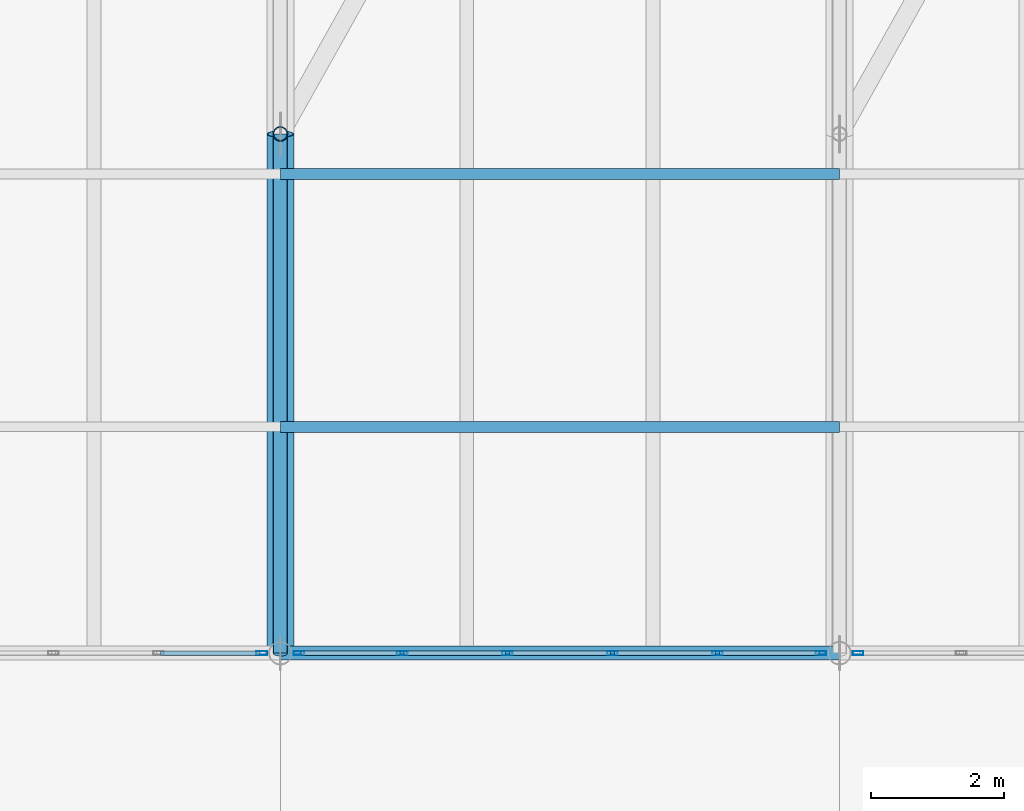
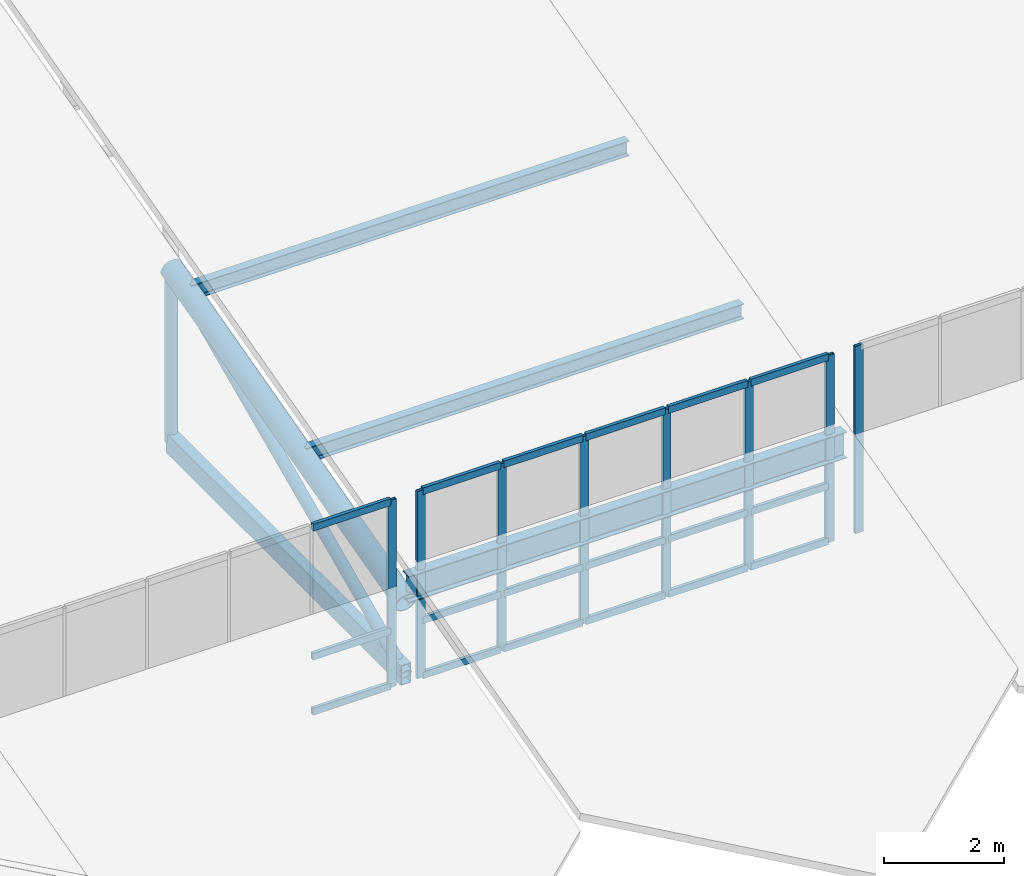
# One storey, part 19 of 43: 32 members, 1 beam, 3 elements without a shape of their own.
"""IFC4 building model written with IfcOpenShell, lengths in metres."""

from ifc_helpers import new_model, si_unit, direction, frame, origin, origin_2d, place, context, subcontext, project, spatial, hollow_rectangle, hollow_circle, i_section, extrude, material, layer, layer_set, material_profile, profile_set, type_object, element, aggregate, save


model = new_model("IFC4")

# Units and contexts
model_context = context("Model", 3, precision=1e-05, world=origin(), true_north=direction((0.0, 1.0)))
body_context = subcontext(model_context, "Body", "Model", "MODEL_VIEW")
ifc_project = project(units=[si_unit("LENGTHUNIT", "METRE"), si_unit("AREAUNIT", "SQUARE_METRE"), si_unit("VOLUMEUNIT", "CUBIC_METRE"), si_unit("PLANEANGLEUNIT", "RADIAN"), si_unit("MASSUNIT", "GRAM", prefix="KILO")], contexts=[model_context])

# Site, building, storey
site_placement = place(None, origin())
site = spatial("IfcSite", under=ifc_project, at=site_placement, CompositionType="ELEMENT")
building_placement = place(site_placement, origin())
building = spatial("IfcBuilding", under=site, at=building_placement, Name="Selat Folded Stagehouse", CompositionType="ELEMENT")
storey_placement = place(building_placement, frame((0.0, 0.0, 32.39990234375)))
storey = spatial("IfcBuildingStorey", under=building, at=storey_placement, Name="RF", CompositionType="ELEMENT", Elevation=32.39990234375)

# Beam
ifc_material_1 = material(Name="Steel S355", Category="steel")
ifc_material_profile_1 = material_profile(ifc_material_1, i_section(OverallWidth=0.209228515625, OverallDepth=0.533203125, WebThickness=0.010009765625, FlangeThickness=0.015625, FilletRadius=0.0126953125, at=origin_2d()), Name="UKB 533x210x92")
ifc_profile_set_1 = profile_set([ifc_material_profile_1], Name="Steel S355")
beam_type = type_object("IfcBeamType", Name="BM-GIRD-533x210x92", PredefinedType="BEAM", material=ifc_profile_set_1)
beam_placement = place(storey_placement, frame((42.0, 23.39990234375, 1.9208984375), z_axis=(1.0, 0.0, 0.0), x_axis=(0.0, 1.0, 0.0)))
element("IfcBeam", 1, at=beam_placement, inside=storey, type_object=beam_type, Name="RF bay 5 S roof bearer beam", PredefinedType="BEAM", context=body_context, shape_type="SweptSolid", body=[
    extrude(i_section(OverallWidth=0.209228515625, OverallDepth=0.533203125, WebThickness=0.010009765625, FlangeThickness=0.015625, FilletRadius=0.0126953125, at=origin_2d()), origin(), (0.0, 0.0, 1.0), 8.39990234375),
])

# Curtain wall, member
ifc_material_2 = material(Name="Aluminium 6063-T6", Category="aluminium")
ifc_layer = layer(ifc_material_2, 0.169921875)
ifc_layer_set = layer_set([ifc_layer], Name="Aluminium 6063-T6")
curtain_wall_type = type_object("IfcCurtainWallType", Name="CW-CRN-CLER", PredefinedType="NOTDEFINED", material=ifc_layer_set)
curtain_wall_1_placement = place(storey_placement, origin())
curtain_wall_1 = element("IfcCurtainWall", 2, at=curtain_wall_1_placement, inside=storey, type_object=curtain_wall_type, Name="RF curtain wall CW-RF-S-03", PredefinedType="NOTDEFINED")
ifc_material_profile_2 = material_profile(ifc_material_2, hollow_rectangle(XDim=0.06005859375, YDim=0.159912109375, WallThickness=0.00390625, at=origin_2d()), Name="ALU 160x60x4.0")
ifc_profile_set_2 = profile_set([ifc_material_profile_2], Name="Aluminium 6063-T6")
member_type_1 = type_object("IfcMemberType", Name="CWM-MUL-160x60", PredefinedType="MULLION", material=ifc_profile_set_2)
member_1_placement = place(storey_placement, frame((41.719970703125, 23.39990234375, 0.0), z_axis=(0.0, 0.0, 1.0), x_axis=(0.0, -1.0, 0.0)))
member_1 = element("IfcMember", 3, at=member_1_placement, type_object=member_type_1, Name="CW-09 mullion 1", PredefinedType="MULLION", context=body_context, shape_type="SweptSolid", body=[
    extrude(hollow_rectangle(XDim=0.06005859375, YDim=0.159912109375, WallThickness=0.00390625, at=origin_2d()), origin(), (0.0, 0.0, 1.0), 3.800048828125),
])

# Curtain wall, members
curtain_wall_2_placement = place(storey_placement, origin())
curtain_wall_2 = element("IfcCurtainWall", 4, at=curtain_wall_2_placement, inside=storey, type_object=curtain_wall_type, Name="RF curtain wall CW-RF-S-04", PredefinedType="NOTDEFINED")
member_2_placement = place(storey_placement, frame((50.1201171875, 23.39990234375, 0.0), z_axis=(0.0, 0.0, 1.0), x_axis=(0.0, -1.0, 0.0)))
member_2 = element("IfcMember", 5, at=member_2_placement, type_object=member_type_1, Name="CW-09 mullion 1", PredefinedType="MULLION", context=body_context, shape_type="SweptSolid", body=[
    extrude(hollow_rectangle(XDim=0.06005859375, YDim=0.159912109375, WallThickness=0.00390625, at=origin_2d()), origin(), (0.0, 0.0, 1.0), 3.800048828125),
])
member_3_placement = place(storey_placement, frame((48.570068359375, 23.39990234375, 0.0), z_axis=(0.0, 0.0, 1.0), x_axis=(0.0, -1.0, 0.0)))
member_3 = element("IfcMember", 6, at=member_3_placement, type_object=member_type_1, Name="CW-09 mullion 2", PredefinedType="MULLION", context=body_context, shape_type="SweptSolid", body=[
    extrude(hollow_rectangle(XDim=0.06005859375, YDim=0.159912109375, WallThickness=0.00390625, at=origin_2d()), origin(), (0.0, 0.0, 1.0), 3.800048828125),
])
member_4_placement = place(storey_placement, frame((46.989990234375, 23.39990234375, 0.0), z_axis=(0.0, 0.0, 1.0), x_axis=(0.0, -1.0, 0.0)))
member_4 = element("IfcMember", 7, at=member_4_placement, type_object=member_type_1, Name="CW-09 mullion 3", PredefinedType="MULLION", context=body_context, shape_type="SweptSolid", body=[
    extrude(hollow_rectangle(XDim=0.06005859375, YDim=0.159912109375, WallThickness=0.00390625, at=origin_2d()), origin(), (0.0, 0.0, 1.0), 3.800048828125),
])
member_5_placement = place(storey_placement, frame((45.409912109375, 23.39990234375, 0.0), z_axis=(0.0, 0.0, 1.0), x_axis=(0.0, -1.0, 0.0)))
member_5 = element("IfcMember", 8, at=member_5_placement, type_object=member_type_1, Name="CW-09 mullion 4", PredefinedType="MULLION", context=body_context, shape_type="SweptSolid", body=[
    extrude(hollow_rectangle(XDim=0.06005859375, YDim=0.159912109375, WallThickness=0.00390625, at=origin_2d()), origin(), (0.0, 0.0, 1.0), 3.800048828125),
])
member_6_placement = place(storey_placement, frame((43.830078125, 23.39990234375, 0.0), z_axis=(0.0, 0.0, 1.0), x_axis=(0.0, -1.0, 0.0)))
member_6 = element("IfcMember", 9, at=member_6_placement, type_object=member_type_1, Name="CW-09 mullion 5", PredefinedType="MULLION", context=body_context, shape_type="SweptSolid", body=[
    extrude(hollow_rectangle(XDim=0.06005859375, YDim=0.159912109375, WallThickness=0.00390625, at=origin_2d()), origin(), (0.0, 0.0, 1.0), 3.800048828125),
])
member_7_placement = place(storey_placement, frame((42.280029296875, 23.39990234375, 0.0), z_axis=(0.0, 0.0, 1.0), x_axis=(0.0, -1.0, 0.0)))
member_7 = element("IfcMember", 10, at=member_7_placement, type_object=member_type_1, Name="CW-09 mullion 6", PredefinedType="MULLION", context=body_context, shape_type="SweptSolid", body=[
    extrude(hollow_rectangle(XDim=0.06005859375, YDim=0.159912109375, WallThickness=0.00390625, at=origin_2d()), origin(), (0.0, 0.0, 1.0), 3.800048828125),
])

# Curtain wall, member
curtain_wall_3_placement = place(storey_placement, origin())
curtain_wall_3 = element("IfcCurtainWall", 11, at=curtain_wall_3_placement, inside=storey, type_object=curtain_wall_type, Name="RF curtain wall CW-RF-S-05", PredefinedType="NOTDEFINED")
member_8_placement = place(storey_placement, frame((50.679931640625, 23.39990234375, 0.0), z_axis=(0.0, 0.0, 1.0), x_axis=(0.0, -1.0, 0.0)))
member_8 = element("IfcMember", 12, at=member_8_placement, type_object=member_type_1, Name="CW-09 mullion 6", PredefinedType="MULLION", context=body_context, shape_type="SweptSolid", body=[
    extrude(hollow_rectangle(XDim=0.06005859375, YDim=0.159912109375, WallThickness=0.00390625, at=origin_2d()), origin(), (0.0, 0.0, 1.0), 3.800048828125),
])
aggregate(curtain_wall_3, [member_8])

# Member
ifc_material_profile_3 = material_profile(ifc_material_2, hollow_rectangle(XDim=0.06494140625, YDim=0.139892578125, WallThickness=0.00390625, at=origin_2d()), Name="ALU 140x65x4.0")
ifc_profile_set_3 = profile_set([ifc_material_profile_3], Name="Aluminium 6063-T6")
member_type_2 = type_object("IfcMemberType", Name="CWM-TRN-140x65", PredefinedType="USERDEFINED", material=ifc_profile_set_3)
member_9_placement = place(storey_placement, frame((41.68994140625, 23.39990234375, 0.03271484375), z_axis=(-1.0, 0.0, 0.0), x_axis=(0.0, -1.0, 0.0)))
member_9 = element("IfcMember", 13, at=member_9_placement, type_object=member_type_2, Name="CW-09 transom 1.1", ObjectType="TRANSOM", PredefinedType="USERDEFINED", context=body_context, shape_type="SweptSolid", body=[
    extrude(hollow_rectangle(XDim=0.06494140625, YDim=0.139892578125, WallThickness=0.00390625, at=origin_2d()), origin(), (0.0, 0.0, 1.0), 1.489990234375),
])

member_10_placement = place(storey_placement, frame((41.68994140625, 23.39990234375, 1.150146484375), z_axis=(-1.0, 0.0, 0.0), x_axis=(0.0, -1.0, 0.0)))
member_10 = element("IfcMember", 14, at=member_10_placement, type_object=member_type_2, Name="CW-09 transom 1.2", ObjectType="TRANSOM", PredefinedType="USERDEFINED", context=body_context, shape_type="SweptSolid", body=[
    extrude(hollow_rectangle(XDim=0.06494140625, YDim=0.139892578125, WallThickness=0.00390625, at=origin_2d()), origin(), (0.0, 0.0, 1.0), 1.489990234375),
])

member_11_placement = place(storey_placement, frame((41.68994140625, 23.39990234375, 3.767578125), z_axis=(-1.0, 0.0, 0.0), x_axis=(0.0, -1.0, 0.0)))
member_11 = element("IfcMember", 15, at=member_11_placement, type_object=member_type_2, Name="CW-09 transom 1.3", ObjectType="TRANSOM", PredefinedType="USERDEFINED", context=body_context, shape_type="SweptSolid", body=[
    extrude(hollow_rectangle(XDim=0.06494140625, YDim=0.139892578125, WallThickness=0.00390625, at=origin_2d()), origin(), (0.0, 0.0, 1.0), 1.489990234375),
])

aggregate(curtain_wall_1, [member_1, member_9, member_10, member_11])

member_12_placement = place(storey_placement, frame((50.090087890625, 23.39990234375, 0.03271484375), z_axis=(-1.0, 0.0, 0.0), x_axis=(0.0, -1.0, 0.0)))
member_12 = element("IfcMember", 16, at=member_12_placement, type_object=member_type_2, Name="CW-09 transom 1.1", ObjectType="TRANSOM", PredefinedType="USERDEFINED", context=body_context, shape_type="SweptSolid", body=[
    extrude(hollow_rectangle(XDim=0.06494140625, YDim=0.139892578125, WallThickness=0.00390625, at=origin_2d()), origin(), (0.0, 0.0, 1.0), 1.489990234375),
])

member_13_placement = place(storey_placement, frame((50.090087890625, 23.39990234375, 1.150146484375), z_axis=(-1.0, 0.0, 0.0), x_axis=(0.0, -1.0, 0.0)))
member_13 = element("IfcMember", 17, at=member_13_placement, type_object=member_type_2, Name="CW-09 transom 1.2", ObjectType="TRANSOM", PredefinedType="USERDEFINED", context=body_context, shape_type="SweptSolid", body=[
    extrude(hollow_rectangle(XDim=0.06494140625, YDim=0.139892578125, WallThickness=0.00390625, at=origin_2d()), origin(), (0.0, 0.0, 1.0), 1.489990234375),
])

member_14_placement = place(storey_placement, frame((50.090087890625, 23.39990234375, 3.767578125), z_axis=(-1.0, 0.0, 0.0), x_axis=(0.0, -1.0, 0.0)))
member_14 = element("IfcMember", 18, at=member_14_placement, type_object=member_type_2, Name="CW-09 transom 1.3", ObjectType="TRANSOM", PredefinedType="USERDEFINED", context=body_context, shape_type="SweptSolid", body=[
    extrude(hollow_rectangle(XDim=0.06494140625, YDim=0.139892578125, WallThickness=0.00390625, at=origin_2d()), origin(), (0.0, 0.0, 1.0), 1.489990234375),
])

member_15_placement = place(storey_placement, frame((48.5400390625, 23.39990234375, 0.03271484375), z_axis=(-1.0, 0.0, 0.0), x_axis=(0.0, -1.0, 0.0)))
member_15 = element("IfcMember", 19, at=member_15_placement, type_object=member_type_2, Name="CW-09 transom 2.1", ObjectType="TRANSOM", PredefinedType="USERDEFINED", context=body_context, shape_type="SweptSolid", body=[
    extrude(hollow_rectangle(XDim=0.06494140625, YDim=0.139892578125, WallThickness=0.00390625, at=origin_2d()), origin(), (0.0, 0.0, 1.0), 1.52001953125),
])

member_16_placement = place(storey_placement, frame((48.5400390625, 23.39990234375, 1.150146484375), z_axis=(-1.0, 0.0, 0.0), x_axis=(0.0, -1.0, 0.0)))
member_16 = element("IfcMember", 20, at=member_16_placement, type_object=member_type_2, Name="CW-09 transom 2.2", ObjectType="TRANSOM", PredefinedType="USERDEFINED", context=body_context, shape_type="SweptSolid", body=[
    extrude(hollow_rectangle(XDim=0.06494140625, YDim=0.139892578125, WallThickness=0.00390625, at=origin_2d()), origin(), (0.0, 0.0, 1.0), 1.52001953125),
])

member_17_placement = place(storey_placement, frame((48.5400390625, 23.39990234375, 3.767578125), z_axis=(-1.0, 0.0, 0.0), x_axis=(0.0, -1.0, 0.0)))
member_17 = element("IfcMember", 21, at=member_17_placement, type_object=member_type_2, Name="CW-09 transom 2.3", ObjectType="TRANSOM", PredefinedType="USERDEFINED", context=body_context, shape_type="SweptSolid", body=[
    extrude(hollow_rectangle(XDim=0.06494140625, YDim=0.139892578125, WallThickness=0.00390625, at=origin_2d()), origin(), (0.0, 0.0, 1.0), 1.52001953125),
])

member_18_placement = place(storey_placement, frame((46.9599609375, 23.39990234375, 0.03271484375), z_axis=(-1.0, 0.0, 0.0), x_axis=(0.0, -1.0, 0.0)))
member_18 = element("IfcMember", 22, at=member_18_placement, type_object=member_type_2, Name="CW-09 transom 3.1", ObjectType="TRANSOM", PredefinedType="USERDEFINED", context=body_context, shape_type="SweptSolid", body=[
    extrude(hollow_rectangle(XDim=0.06494140625, YDim=0.139892578125, WallThickness=0.00390625, at=origin_2d()), origin(), (0.0, 0.0, 1.0), 1.52001953125),
])

member_19_placement = place(storey_placement, frame((46.9599609375, 23.39990234375, 1.150146484375), z_axis=(-1.0, 0.0, 0.0), x_axis=(0.0, -1.0, 0.0)))
member_19 = element("IfcMember", 23, at=member_19_placement, type_object=member_type_2, Name="CW-09 transom 3.2", ObjectType="TRANSOM", PredefinedType="USERDEFINED", context=body_context, shape_type="SweptSolid", body=[
    extrude(hollow_rectangle(XDim=0.06494140625, YDim=0.139892578125, WallThickness=0.00390625, at=origin_2d()), origin(), (0.0, 0.0, 1.0), 1.52001953125),
])

member_20_placement = place(storey_placement, frame((46.9599609375, 23.39990234375, 3.767578125), z_axis=(-1.0, 0.0, 0.0), x_axis=(0.0, -1.0, 0.0)))
member_20 = element("IfcMember", 24, at=member_20_placement, type_object=member_type_2, Name="CW-09 transom 3.3", ObjectType="TRANSOM", PredefinedType="USERDEFINED", context=body_context, shape_type="SweptSolid", body=[
    extrude(hollow_rectangle(XDim=0.06494140625, YDim=0.139892578125, WallThickness=0.00390625, at=origin_2d()), origin(), (0.0, 0.0, 1.0), 1.52001953125),
])

member_21_placement = place(storey_placement, frame((45.3798828125, 23.39990234375, 0.03271484375), z_axis=(-1.0, 0.0, 0.0), x_axis=(0.0, -1.0, 0.0)))
member_21 = element("IfcMember", 25, at=member_21_placement, type_object=member_type_2, Name="CW-09 transom 4.1", ObjectType="TRANSOM", PredefinedType="USERDEFINED", context=body_context, shape_type="SweptSolid", body=[
    extrude(hollow_rectangle(XDim=0.06494140625, YDim=0.139892578125, WallThickness=0.00390625, at=origin_2d()), origin(), (0.0, 0.0, 1.0), 1.519775390625),
])

member_22_placement = place(storey_placement, frame((45.3798828125, 23.39990234375, 1.150146484375), z_axis=(-1.0, 0.0, 0.0), x_axis=(0.0, -1.0, 0.0)))
member_22 = element("IfcMember", 26, at=member_22_placement, type_object=member_type_2, Name="CW-09 transom 4.2", ObjectType="TRANSOM", PredefinedType="USERDEFINED", context=body_context, shape_type="SweptSolid", body=[
    extrude(hollow_rectangle(XDim=0.06494140625, YDim=0.139892578125, WallThickness=0.00390625, at=origin_2d()), origin(), (0.0, 0.0, 1.0), 1.519775390625),
])

member_23_placement = place(storey_placement, frame((45.3798828125, 23.39990234375, 3.767578125), z_axis=(-1.0, 0.0, 0.0), x_axis=(0.0, -1.0, 0.0)))
member_23 = element("IfcMember", 27, at=member_23_placement, type_object=member_type_2, Name="CW-09 transom 4.3", ObjectType="TRANSOM", PredefinedType="USERDEFINED", context=body_context, shape_type="SweptSolid", body=[
    extrude(hollow_rectangle(XDim=0.06494140625, YDim=0.139892578125, WallThickness=0.00390625, at=origin_2d()), origin(), (0.0, 0.0, 1.0), 1.519775390625),
])

member_24_placement = place(storey_placement, frame((43.800048828125, 23.39990234375, 0.03271484375), z_axis=(-1.0, 0.0, 0.0), x_axis=(0.0, -1.0, 0.0)))
member_24 = element("IfcMember", 28, at=member_24_placement, type_object=member_type_2, Name="CW-09 transom 5.1", ObjectType="TRANSOM", PredefinedType="USERDEFINED", context=body_context, shape_type="SweptSolid", body=[
    extrude(hollow_rectangle(XDim=0.06494140625, YDim=0.139892578125, WallThickness=0.00390625, at=origin_2d()), origin(), (0.0, 0.0, 1.0), 1.489990234375),
])

member_25_placement = place(storey_placement, frame((43.800048828125, 23.39990234375, 1.150146484375), z_axis=(-1.0, 0.0, 0.0), x_axis=(0.0, -1.0, 0.0)))
member_25 = element("IfcMember", 29, at=member_25_placement, type_object=member_type_2, Name="CW-09 transom 5.2", ObjectType="TRANSOM", PredefinedType="USERDEFINED", context=body_context, shape_type="SweptSolid", body=[
    extrude(hollow_rectangle(XDim=0.06494140625, YDim=0.139892578125, WallThickness=0.00390625, at=origin_2d()), origin(), (0.0, 0.0, 1.0), 1.489990234375),
])

member_26_placement = place(storey_placement, frame((43.800048828125, 23.39990234375, 3.767578125), z_axis=(-1.0, 0.0, 0.0), x_axis=(0.0, -1.0, 0.0)))
member_26 = element("IfcMember", 30, at=member_26_placement, type_object=member_type_2, Name="CW-09 transom 5.3", ObjectType="TRANSOM", PredefinedType="USERDEFINED", context=body_context, shape_type="SweptSolid", body=[
    extrude(hollow_rectangle(XDim=0.06494140625, YDim=0.139892578125, WallThickness=0.00390625, at=origin_2d()), origin(), (0.0, 0.0, 1.0), 1.489990234375),
])

aggregate(curtain_wall_2, [member_2, member_3, member_4, member_5, member_6, member_7, member_12, member_13, member_14, member_15, member_16, member_17, member_18, member_19, member_20, member_21, member_22, member_23, member_24, member_25, member_26])

# Members
ifc_material_profile_4 = material_profile(ifc_material_1, hollow_circle(Radius=0.109619140625, WallThickness=0.010009765625, at=origin_2d()), Name="CHS 219.1x10.0")
ifc_profile_set_4 = profile_set([ifc_material_profile_4], Name="Steel S355")
member_type_3 = type_object("IfcMemberType", Name="MEM-BRACE-CHS219", PredefinedType="BRACE", material=ifc_profile_set_4)
member_27_placement = place(storey_placement, frame((42.0, 23.39990234375, 0.150146484375), z_axis=(0.0, 0.91168696029, 0.410885490664), x_axis=(-1.0, 0.0, 0.0)))
element("IfcMember", 31, at=member_27_placement, inside=storey, type_object=member_type_3, Name="Folded-plate web diagonal 5.1", PredefinedType="BRACE", context=body_context, shape_type="SweptSolid", body=[
    extrude(hollow_circle(Radius=0.109619140625, WallThickness=0.010009765625, at=origin_2d()), origin(), (0.0, 0.0, 1.0), 8.5556640625),
])
ifc_material_profile_5 = material_profile(ifc_material_1, hollow_circle(Radius=0.203125, WallThickness=0.01611328125, at=origin_2d()), Name="CHS 406.4x16.0")
ifc_profile_set_5 = profile_set([ifc_material_profile_5], Name="Steel S355")
member_type_4 = type_object("IfcMemberType", Name="MEM-CHORD-CHS406", PredefinedType="CHORD", material=ifc_profile_set_5)
member_28_placement = place(storey_placement, frame((42.0, 23.39990234375, 1.605224609375), z_axis=(0.0, 0.966840500881, 0.255380981781), x_axis=(-1.0, 0.0, 0.0)))
element("IfcMember", 32, at=member_28_placement, inside=storey, type_object=member_type_4, Name="Folded-plate top chord 5.1", PredefinedType="CHORD", context=body_context, shape_type="SweptSolid", body=[
    extrude(hollow_circle(Radius=0.203125, WallThickness=0.01611328125, at=origin_2d()), origin(), (0.0, 0.0, 1.0), 8.067626953125),
])
ifc_material_profile_6 = material_profile(ifc_material_1, hollow_rectangle(XDim=0.199951171875, YDim=0.39990234375, WallThickness=0.012451171875, at=origin_2d()), Name="RHS 400x200x12.5")
ifc_profile_set_6 = profile_set([ifc_material_profile_6], Name="Steel S355")
member_type_5 = type_object("IfcMemberType", Name="MEM-CHORD-RHS400", PredefinedType="CHORD", material=ifc_profile_set_6)
member_29_placement = place(storey_placement, frame((42.0, 23.39990234375, 0.150146484375), z_axis=(0.0, 1.0, 0.0), x_axis=(-1.0, 0.0, 0.0)))
element("IfcMember", 33, at=member_29_placement, inside=storey, type_object=member_type_5, Name="Folded-plate bottom tie 5.1", PredefinedType="CHORD", context=body_context, shape_type="SweptSolid", body=[
    extrude(hollow_rectangle(XDim=0.199951171875, YDim=0.39990234375, WallThickness=0.012451171875, at=origin_2d()), origin(), (0.0, 0.0, 1.0), 7.800048828125),
])
ifc_material_profile_7 = material_profile(ifc_material_1, hollow_circle(Radius=0.109619140625, WallThickness=0.010009765625, at=origin_2d()), Name="CHS 219.1x10.0")
ifc_profile_set_7 = profile_set([ifc_material_profile_7], Name="Steel S355")
member_type_6 = type_object("IfcMemberType", Name="MEM-POST-CHS219", PredefinedType="POST", material=ifc_profile_set_7)
member_30_placement = place(storey_placement, frame((42.0, 31.199951171875, 0.150146484375), z_axis=(0.0, 0.0, 1.0), x_axis=(1.0, 0.0, 0.0)))
element("IfcMember", 34, at=member_30_placement, inside=storey, type_object=member_type_6, Name="Folded-plate truss post 5.1", PredefinedType="POST", context=body_context, shape_type="SweptSolid", body=[
    extrude(hollow_circle(Radius=0.109619140625, WallThickness=0.010009765625, at=origin_2d()), origin(), (0.0, 0.0, 1.0), 3.515380859375),
])
ifc_material_profile_8 = material_profile(ifc_material_1, i_section(OverallWidth=0.1650390625, OverallDepth=0.303466796875, WebThickness=0.006103515625, FlangeThickness=0.01025390625, FilletRadius=0.0087890625, at=origin_2d()), Name="UKB 305x165x40")
ifc_profile_set_8 = profile_set([ifc_material_profile_8], Name="Steel S355")
member_type_7 = type_object("IfcMemberType", Name="MEM-PURLIN-UKB305", PredefinedType="PURLIN", material=ifc_profile_set_8)
for number, where, z_axis, x_axis, name in (
    (35, (42.0, 26.800048828125, 2.556640625), (1.0, 0.0, 0.0), (0.0, 1.0, 0.0), "Folded-plate roof purlin bay 5.1"),
    (36, (42.0, 30.60009765625, 3.560302734375), (1.0, 0.0, 0.0), (0.0, 1.0, 0.0), "Folded-plate roof purlin bay 5.2"),
):
    element("IfcMember", number, at=place(storey_placement, frame(where, z_axis=z_axis, x_axis=x_axis)), inside=storey, type_object=member_type_7, Name=name, PredefinedType="PURLIN", context=body_context, shape_type="SweptSolid", body=[
        extrude(i_section(OverallWidth=0.1650390625, OverallDepth=0.303466796875, WebThickness=0.006103515625, FlangeThickness=0.01025390625, FilletRadius=0.0087890625, at=origin_2d()), origin(), (0.0, 0.0, 1.0), 8.39990234375),
    ])

save(model, "model.ifc")
